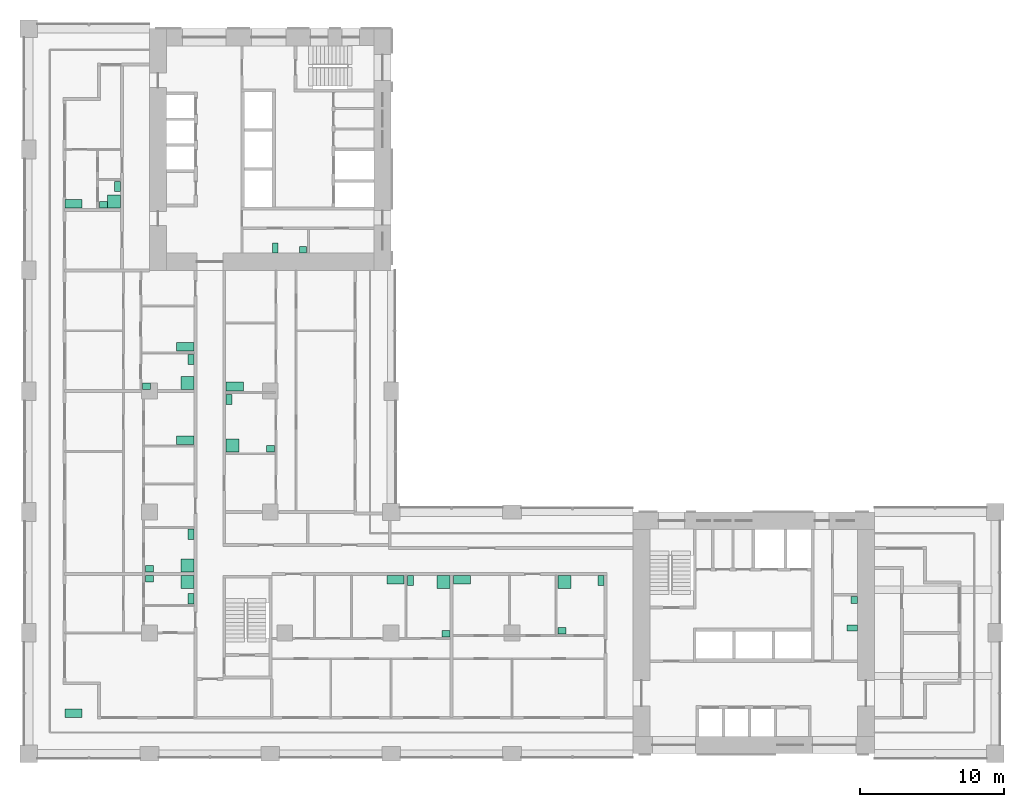
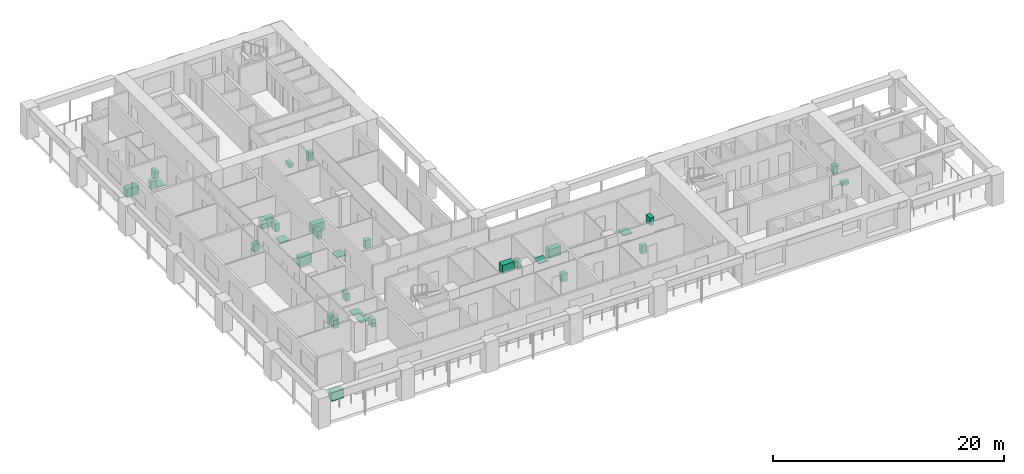
# One storey, part 17 of 17: 32 sanitary terminals.
"""IFC4 building model written with IfcOpenShell, lengths in metres."""

from ifc_helpers import new_model, si_unit, direction, frame, origin, origin_2d, place, context, subcontext, project, spatial, rectangle, extrude, material, element, save


model = new_model("IFC4")

# Units and contexts
model_context = context("Model", 3, precision=1e-05, world=origin(), true_north=direction((0.0, 1.0)))
body_context = subcontext(model_context, "Body", "Model", "MODEL_VIEW")
ifc_project = project(units=[si_unit("LENGTHUNIT", "METRE"), si_unit("AREAUNIT", "SQUARE_METRE"), si_unit("VOLUMEUNIT", "CUBIC_METRE"), si_unit("PLANEANGLEUNIT", "RADIAN"), si_unit("MASSUNIT", "GRAM", prefix="KILO")], contexts=[model_context])

# Site, building, storey
site_placement = place(None, origin())
site = spatial("IfcSite", under=ifc_project, at=site_placement, CompositionType="ELEMENT")
building_placement = place(site_placement, origin())
building = spatial("IfcBuilding", under=site, at=building_placement, Name="Vermilion Gate Residences", CompositionType="ELEMENT")
storey_placement = place(building_placement, frame((0.0, 0.0, 116.199951171875)))
storey = spatial("IfcBuildingStorey", under=building, at=storey_placement, Name="L29", CompositionType="ELEMENT", Elevation=116.199951171875)

# Sanitary terminals
ifc_material_1 = material(Name="Vitreous china")
sanitary_terminal_1_placement = place(storey_placement, frame((57.25, 17.137451171875, 0.0), z_axis=(0.0, 0.0, 1.0), x_axis=(1.0, 0.0, 0.0)))
element("IfcSanitaryTerminal", 1, at=sanitary_terminal_1_placement, inside=storey, material=ifc_material_1, Name="Toilet pan A29", PredefinedType="TOILETPAN", context=body_context, shape_type="SweptSolid", body=[
    extrude(rectangle(XDim=0.699951171875, YDim=0.39990234375, at=origin_2d()), origin(), (0.0, 0.0, 1.0), 0.39990234375),
])
sanitary_terminal_2_placement = place(storey_placement, frame((57.375, 19.074951171875, 0.0), z_axis=(0.0, 0.0, 1.0), x_axis=(1.0, 0.0, 0.0)))
element("IfcSanitaryTerminal", 2, at=sanitary_terminal_2_placement, inside=storey, material=ifc_material_1, Name="Washbasin A29", PredefinedType="WASHHANDBASIN", context=body_context, shape_type="SweptSolid", body=[
    extrude(rectangle(XDim=0.449951171875, YDim=0.5, at=origin_2d()), origin(), (0.0, 0.0, 1.0), 0.85009765625),
])
sanitary_terminal_3_placement = place(storey_placement, frame((17.137451171875, 43.550048828125, 0.0), z_axis=(0.0, 0.0, 1.0), x_axis=(1.0, 0.0, 0.0)))
element("IfcSanitaryTerminal", 3, at=sanitary_terminal_3_placement, inside=storey, material=ifc_material_1, Name="Toilet pan B29", PredefinedType="TOILETPAN", context=body_context, shape_type="SweptSolid", body=[
    extrude(rectangle(XDim=0.39990234375, YDim=0.699951171875, at=origin_2d()), origin(), (0.0, 0.0, 1.0), 0.39990234375),
])
sanitary_terminal_4_placement = place(storey_placement, frame((19.074951171875, 43.425048828125, 0.0), z_axis=(0.0, 0.0, 1.0), x_axis=(1.0, 0.0, 0.0)))
element("IfcSanitaryTerminal", 4, at=sanitary_terminal_4_placement, inside=storey, material=ifc_material_1, Name="Washbasin B29", PredefinedType="WASHHANDBASIN", context=body_context, shape_type="SweptSolid", body=[
    extrude(rectangle(XDim=0.5, YDim=0.449951171875, at=origin_2d()), origin(), (0.0, 0.0, 1.0), 0.85009765625),
])
ifc_material_2 = material(Name="Stainless steel", Category="steel")
sanitary_terminal_5_placement = place(storey_placement, frame((3.1201171875, 11.219970703125, 0.0), z_axis=(0.0, 0.0, 1.0), x_axis=(1.0, 0.0, 0.0)))
element("IfcSanitaryTerminal", 5, at=sanitary_terminal_5_placement, inside=storey, material=ifc_material_2, Name="Kitchen sink", PredefinedType="SINK", context=body_context, shape_type="SweptSolid", body=[
    extrude(rectangle(XDim=1.199951171875, YDim=0.60009765625, at=origin_2d()), origin(), (0.0, 0.0, 1.0), 0.89990234375),
])
sanitary_terminal_6_placement = place(storey_placement, frame((11.030029296875, 20.330078125, 0.0), z_axis=(0.0, 0.0, 1.0), x_axis=(1.0, 0.0, 0.0)))
element("IfcSanitaryTerminal", 6, at=sanitary_terminal_6_placement, inside=storey, material=ifc_material_1, Name="Shower tray", PredefinedType="SHOWER", context=body_context, shape_type="SweptSolid", body=[
    extrude(rectangle(XDim=0.89990234375, YDim=0.89990234375, at=origin_2d()), origin(), (0.0, 0.0, 1.0), 0.10009765625),
])
sanitary_terminal_7_placement = place(storey_placement, frame((11.280029296875, 19.169921875, 0.0), z_axis=(0.0, 0.0, 1.0), x_axis=(1.0, 0.0, 0.0)))
element("IfcSanitaryTerminal", 7, at=sanitary_terminal_7_placement, inside=storey, material=ifc_material_1, Name="Toilet", PredefinedType="TOILETPAN", context=body_context, shape_type="SweptSolid", body=[
    extrude(rectangle(XDim=0.39990234375, YDim=0.699951171875, at=origin_2d()), origin(), (0.0, 0.0, 1.0), 0.800048828125),
])
sanitary_terminal_8_placement = place(storey_placement, frame((8.39501953125, 20.554931640625, 0.0), z_axis=(0.0, 0.0, 1.0), x_axis=(1.0, 0.0, 0.0)))
element("IfcSanitaryTerminal", 8, at=sanitary_terminal_8_placement, inside=storey, material=ifc_material_1, Name="Wash basin", PredefinedType="WASHHANDBASIN", context=body_context, shape_type="SweptSolid", body=[
    extrude(rectangle(XDim=0.550048828125, YDim=0.449951171875, at=origin_2d()), origin(), (0.0, 0.0, 1.0), 0.85009765625),
])
sanitary_terminal_9_placement = place(storey_placement, frame((25.5048828125, 20.47998046875, 0.0), z_axis=(0.0, 0.0, 1.0), x_axis=(1.0, 0.0, 0.0)))
element("IfcSanitaryTerminal", 9, at=sanitary_terminal_9_placement, inside=storey, material=ifc_material_2, Name="Kitchen sink", PredefinedType="SINK", context=body_context, shape_type="SweptSolid", body=[
    extrude(rectangle(XDim=1.199951171875, YDim=0.60009765625, at=origin_2d()), origin(), (0.0, 0.0, 1.0), 0.89990234375),
])
sanitary_terminal_10_placement = place(storey_placement, frame((28.830078125, 20.330078125, 0.0), z_axis=(0.0, 0.0, 1.0), x_axis=(1.0, 0.0, 0.0)))
element("IfcSanitaryTerminal", 10, at=sanitary_terminal_10_placement, inside=storey, material=ifc_material_1, Name="Shower tray", PredefinedType="SHOWER", context=body_context, shape_type="SweptSolid", body=[
    extrude(rectangle(XDim=0.89990234375, YDim=0.89990234375, at=origin_2d()), origin(), (0.0, 0.0, 1.0), 0.10009765625),
])
sanitary_terminal_11_placement = place(storey_placement, frame((26.544921875, 20.429931640625, 0.0), z_axis=(0.0, 0.0, 1.0), x_axis=(1.0, 0.0, 0.0)))
element("IfcSanitaryTerminal", 11, at=sanitary_terminal_11_placement, inside=storey, material=ifc_material_1, Name="Toilet", PredefinedType="TOILETPAN", context=body_context, shape_type="SweptSolid", body=[
    extrude(rectangle(XDim=0.39990234375, YDim=0.699951171875, at=origin_2d()), origin(), (0.0, 0.0, 1.0), 0.800048828125),
])
sanitary_terminal_12_placement = place(storey_placement, frame((29.0048828125, 16.7451171875, 0.0), z_axis=(0.0, 0.0, 1.0), x_axis=(1.0, 0.0, 0.0)))
element("IfcSanitaryTerminal", 12, at=sanitary_terminal_12_placement, inside=storey, material=ifc_material_1, Name="Wash basin", PredefinedType="WASHHANDBASIN", context=body_context, shape_type="SweptSolid", body=[
    extrude(rectangle(XDim=0.550048828125, YDim=0.449951171875, at=origin_2d()), origin(), (0.0, 0.0, 1.0), 0.85009765625),
])
sanitary_terminal_13_placement = place(storey_placement, frame((30.1201171875, 20.47998046875, 0.0), z_axis=(0.0, 0.0, 1.0), x_axis=(1.0, 0.0, 0.0)))
element("IfcSanitaryTerminal", 13, at=sanitary_terminal_13_placement, inside=storey, material=ifc_material_2, Name="Kitchen sink", PredefinedType="SINK", context=body_context, shape_type="SweptSolid", body=[
    extrude(rectangle(XDim=1.199951171875, YDim=0.60009765625, at=origin_2d()), origin(), (0.0, 0.0, 1.0), 0.89990234375),
])
sanitary_terminal_14_placement = place(storey_placement, frame((37.237060546875, 20.330078125, 0.0), z_axis=(0.0, 0.0, 1.0), x_axis=(1.0, 0.0, 0.0)))
element("IfcSanitaryTerminal", 14, at=sanitary_terminal_14_placement, inside=storey, material=ifc_material_1, Name="Shower tray", PredefinedType="SHOWER", context=body_context, shape_type="SweptSolid", body=[
    extrude(rectangle(XDim=0.89990234375, YDim=0.89990234375, at=origin_2d()), origin(), (0.0, 0.0, 1.0), 0.10009765625),
])
sanitary_terminal_15_placement = place(storey_placement, frame((39.780029296875, 20.429931640625, 0.0), z_axis=(0.0, 0.0, 1.0), x_axis=(1.0, 0.0, 0.0)))
element("IfcSanitaryTerminal", 15, at=sanitary_terminal_15_placement, inside=storey, material=ifc_material_1, Name="Toilet", PredefinedType="TOILETPAN", context=body_context, shape_type="SweptSolid", body=[
    extrude(rectangle(XDim=0.39990234375, YDim=0.699951171875, at=origin_2d()), origin(), (0.0, 0.0, 1.0), 0.800048828125),
])
sanitary_terminal_16_placement = place(storey_placement, frame((37.06201171875, 16.945068359375, 0.0), z_axis=(0.0, 0.0, 1.0), x_axis=(1.0, 0.0, 0.0)))
element("IfcSanitaryTerminal", 16, at=sanitary_terminal_16_placement, inside=storey, material=ifc_material_1, Name="Wash basin", PredefinedType="WASHHANDBASIN", context=body_context, shape_type="SweptSolid", body=[
    extrude(rectangle(XDim=0.550048828125, YDim=0.449951171875, at=origin_2d()), origin(), (0.0, 0.0, 1.0), 0.85009765625),
])
sanitary_terminal_17_placement = place(storey_placement, frame((11.030029296875, 21.469970703125, 0.0), z_axis=(0.0, 0.0, 1.0), x_axis=(1.0, 0.0, 0.0)))
element("IfcSanitaryTerminal", 17, at=sanitary_terminal_17_placement, inside=storey, material=ifc_material_1, Name="Shower tray", PredefinedType="SHOWER", context=body_context, shape_type="SweptSolid", body=[
    extrude(rectangle(XDim=0.89990234375, YDim=0.89990234375, at=origin_2d()), origin(), (0.0, 0.0, 1.0), 0.10009765625),
])
sanitary_terminal_18_placement = place(storey_placement, frame((11.280029296875, 23.655029296875, 0.0), z_axis=(0.0, 0.0, 1.0), x_axis=(1.0, 0.0, 0.0)))
element("IfcSanitaryTerminal", 18, at=sanitary_terminal_18_placement, inside=storey, material=ifc_material_1, Name="Toilet", PredefinedType="TOILETPAN", context=body_context, shape_type="SweptSolid", body=[
    extrude(rectangle(XDim=0.39990234375, YDim=0.699951171875, at=origin_2d()), origin(), (0.0, 0.0, 1.0), 0.800048828125),
])
sanitary_terminal_19_placement = place(storey_placement, frame((8.39501953125, 21.2451171875, 0.0), z_axis=(0.0, 0.0, 1.0), x_axis=(1.0, 0.0, 0.0)))
element("IfcSanitaryTerminal", 19, at=sanitary_terminal_19_placement, inside=storey, material=ifc_material_1, Name="Wash basin", PredefinedType="WASHHANDBASIN", context=body_context, shape_type="SweptSolid", body=[
    extrude(rectangle(XDim=0.550048828125, YDim=0.449951171875, at=origin_2d()), origin(), (0.0, 0.0, 1.0), 0.85009765625),
])
sanitary_terminal_20_placement = place(storey_placement, frame((10.8798828125, 30.195068359375, 0.0), z_axis=(0.0, 0.0, 1.0), x_axis=(1.0, 0.0, 0.0)))
element("IfcSanitaryTerminal", 20, at=sanitary_terminal_20_placement, inside=storey, material=ifc_material_2, Name="Kitchen sink", PredefinedType="SINK", context=body_context, shape_type="SweptSolid", body=[
    extrude(rectangle(XDim=1.199951171875, YDim=0.60009765625, at=origin_2d()), origin(), (0.0, 0.0, 1.0), 0.89990234375),
])
sanitary_terminal_21_placement = place(storey_placement, frame((11.030029296875, 34.169921875, 0.0), z_axis=(0.0, 0.0, 1.0), x_axis=(1.0, 0.0, 0.0)))
element("IfcSanitaryTerminal", 21, at=sanitary_terminal_21_placement, inside=storey, material=ifc_material_1, Name="Shower tray", PredefinedType="SHOWER", context=body_context, shape_type="SweptSolid", body=[
    extrude(rectangle(XDim=0.89990234375, YDim=0.89990234375, at=origin_2d()), origin(), (0.0, 0.0, 1.0), 0.10009765625),
])
sanitary_terminal_22_placement = place(storey_placement, frame((11.280029296875, 35.797119140625, 0.0), z_axis=(0.0, 0.0, 1.0), x_axis=(1.0, 0.0, 0.0)))
element("IfcSanitaryTerminal", 22, at=sanitary_terminal_22_placement, inside=storey, material=ifc_material_1, Name="Toilet", PredefinedType="TOILETPAN", context=body_context, shape_type="SweptSolid", body=[
    extrude(rectangle(XDim=0.39990234375, YDim=0.699951171875, at=origin_2d()), origin(), (0.0, 0.0, 1.0), 0.800048828125),
])
sanitary_terminal_23_placement = place(storey_placement, frame((8.195068359375, 33.945068359375, 0.0), z_axis=(0.0, 0.0, 1.0), x_axis=(1.0, 0.0, 0.0)))
element("IfcSanitaryTerminal", 23, at=sanitary_terminal_23_placement, inside=storey, material=ifc_material_1, Name="Wash basin", PredefinedType="WASHHANDBASIN", context=body_context, shape_type="SweptSolid", body=[
    extrude(rectangle(XDim=0.550048828125, YDim=0.449951171875, at=origin_2d()), origin(), (0.0, 0.0, 1.0), 0.85009765625),
])
sanitary_terminal_24_placement = place(storey_placement, frame((10.8798828125, 36.68701171875, 0.0), z_axis=(0.0, 0.0, 1.0), x_axis=(1.0, 0.0, 0.0)))
element("IfcSanitaryTerminal", 24, at=sanitary_terminal_24_placement, inside=storey, material=ifc_material_2, Name="Kitchen sink", PredefinedType="SINK", context=body_context, shape_type="SweptSolid", body=[
    extrude(rectangle(XDim=1.199951171875, YDim=0.60009765625, at=origin_2d()), origin(), (0.0, 0.0, 1.0), 0.89990234375),
])
sanitary_terminal_25_placement = place(storey_placement, frame((14.169921875, 29.820068359375, 0.0), z_axis=(0.0, 0.0, 1.0), x_axis=(1.0, 0.0, 0.0)))
element("IfcSanitaryTerminal", 25, at=sanitary_terminal_25_placement, inside=storey, material=ifc_material_1, Name="Shower tray", PredefinedType="SHOWER", context=body_context, shape_type="SweptSolid", body=[
    extrude(rectangle(XDim=0.89990234375, YDim=0.89990234375, at=origin_2d()), origin(), (0.0, 0.0, 1.0), 0.10009765625),
])
sanitary_terminal_26_placement = place(storey_placement, frame((13.919921875, 33.030029296875, 0.0), z_axis=(0.0, 0.0, 1.0), x_axis=(1.0, 0.0, 0.0)))
element("IfcSanitaryTerminal", 26, at=sanitary_terminal_26_placement, inside=storey, material=ifc_material_1, Name="Toilet", PredefinedType="TOILETPAN", context=body_context, shape_type="SweptSolid", body=[
    extrude(rectangle(XDim=0.39990234375, YDim=0.699951171875, at=origin_2d()), origin(), (0.0, 0.0, 1.0), 0.800048828125),
])
sanitary_terminal_27_placement = place(storey_placement, frame((16.804931640625, 29.594970703125, 0.0), z_axis=(0.0, 0.0, 1.0), x_axis=(1.0, 0.0, 0.0)))
element("IfcSanitaryTerminal", 27, at=sanitary_terminal_27_placement, inside=storey, material=ifc_material_1, Name="Wash basin", PredefinedType="WASHHANDBASIN", context=body_context, shape_type="SweptSolid", body=[
    extrude(rectangle(XDim=0.550048828125, YDim=0.449951171875, at=origin_2d()), origin(), (0.0, 0.0, 1.0), 0.85009765625),
])
for number, where, z_axis, x_axis, name in (
    (28, (14.320068359375, 33.919921875, 0.0), (0.0, 0.0, 1.0), (1.0, 0.0, 0.0), "Kitchen sink"),
    (29, (3.1201171875, 46.6201171875, 0.0), (0.0, 0.0, 1.0), (1.0, 0.0, 0.0), "Kitchen sink"),
):
    element("IfcSanitaryTerminal", number, at=place(storey_placement, frame(where, z_axis=z_axis, x_axis=x_axis)), inside=storey, material=ifc_material_2, Name=name, PredefinedType="SINK", context=body_context, shape_type="SweptSolid", body=[
        extrude(rectangle(XDim=1.199951171875, YDim=0.60009765625, at=origin_2d()), origin(), (0.0, 0.0, 1.0), 0.89990234375),
    ])
sanitary_terminal_28_placement = place(storey_placement, frame((5.929931640625, 46.77001953125, 0.0), z_axis=(0.0, 0.0, 1.0), x_axis=(1.0, 0.0, 0.0)))
element("IfcSanitaryTerminal", 30, at=sanitary_terminal_28_placement, inside=storey, material=ifc_material_1, Name="Shower tray", PredefinedType="SHOWER", context=body_context, shape_type="SweptSolid", body=[
    extrude(rectangle(XDim=0.89990234375, YDim=0.89990234375, at=origin_2d()), origin(), (0.0, 0.0, 1.0), 0.10009765625),
])
sanitary_terminal_29_placement = place(storey_placement, frame((6.179931640625, 47.830078125, 0.0), z_axis=(0.0, 0.0, 1.0), x_axis=(1.0, 0.0, 0.0)))
element("IfcSanitaryTerminal", 31, at=sanitary_terminal_29_placement, inside=storey, material=ifc_material_1, Name="Toilet", PredefinedType="TOILETPAN", context=body_context, shape_type="SweptSolid", body=[
    extrude(rectangle(XDim=0.39990234375, YDim=0.699951171875, at=origin_2d()), origin(), (0.0, 0.0, 1.0), 0.800048828125),
])
sanitary_terminal_30_placement = place(storey_placement, frame((5.195068359375, 46.544921875, 0.0), z_axis=(0.0, 0.0, 1.0), x_axis=(1.0, 0.0, 0.0)))
element("IfcSanitaryTerminal", 32, at=sanitary_terminal_30_placement, inside=storey, material=ifc_material_1, Name="Wash basin", PredefinedType="WASHHANDBASIN", context=body_context, shape_type="SweptSolid", body=[
    extrude(rectangle(XDim=0.550048828125, YDim=0.449951171875, at=origin_2d()), origin(), (0.0, 0.0, 1.0), 0.85009765625),
])

save(model, "model.ifc")
